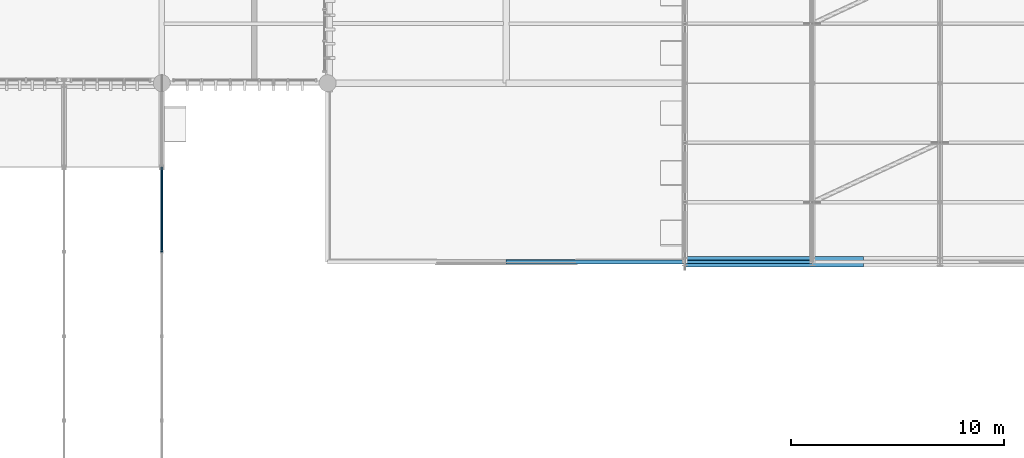
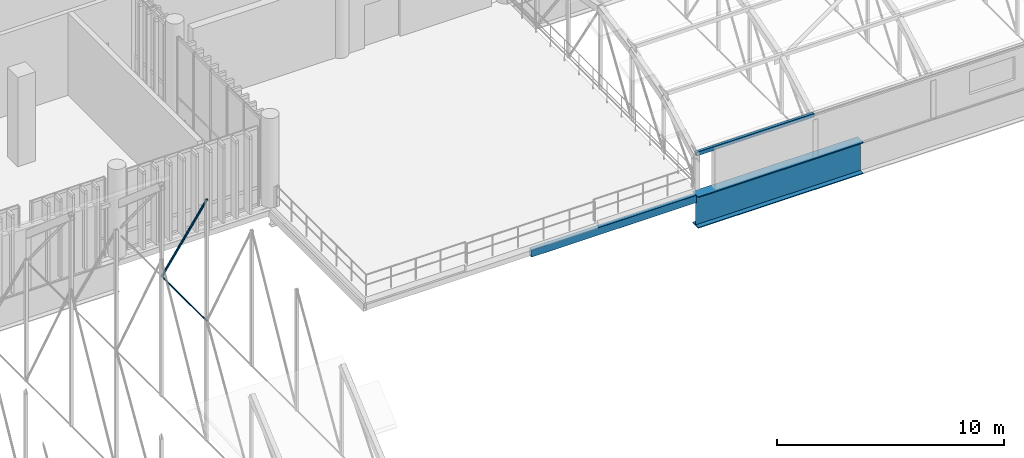
# One storey, part 21 of 109: 3 members, 2 beams.
"""IFC4 building model written with IfcOpenShell, lengths in metres."""

from ifc_helpers import new_model, si_unit, direction, frame, origin_with_axes, origin_2d_with_axis, place, context, subcontext, project, spatial, hollow_rectangle, circle, hollow_circle, i_section, extrude, material, material_profile, profile_set, type_object, element, save


model = new_model("IFC4")

# Units and contexts
model_context = context("Model", 3, precision=1e-05, world=origin_with_axes(), true_north=direction((0.0, 1.0)))
body_context = subcontext(model_context, "Body", "Model", "MODEL_VIEW")
ifc_project = project(units=[si_unit("LENGTHUNIT", "METRE"), si_unit("AREAUNIT", "SQUARE_METRE"), si_unit("VOLUMEUNIT", "CUBIC_METRE"), si_unit("PLANEANGLEUNIT", "RADIAN"), si_unit("MASSUNIT", "GRAM", prefix="KILO"), si_unit("THERMODYNAMICTEMPERATUREUNIT", "KELVIN")], contexts=[model_context])

# Site, building, storey
site_placement = place(None, origin_with_axes())
site = spatial("IfcSite", under=ifc_project, at=site_placement, CompositionType="ELEMENT")
building_placement = place(site_placement, origin_with_axes())
building = spatial("IfcBuilding", under=site, at=building_placement, Name="Montbau Bow Law Courts", CompositionType="ELEMENT")
storey_placement = place(building_placement, frame((0.0, 0.0, 10.8), z_axis=(0.0, 0.0, 1.0), x_axis=(1.0, 0.0, 0.0)))
storey = spatial("IfcBuildingStorey", under=building, at=storey_placement, Name="L02", CompositionType="ELEMENT", Elevation=10.8)

# Beams
ifc_material = material(Name="Steel CSA G40.21 Grade 350WT (350 MPa)", Category="steel")
ifc_material_profile_1 = material_profile(ifc_material, hollow_rectangle(XDim=0.203, YDim=0.406, WallThickness=0.0127, InnerFilletRadius=0.0254, OuterFilletRadius=0.0127, at=origin_2d_with_axis()), Name="HSS406X203X13", Category="Main", Priority=0)
ifc_profile_set_1 = profile_set([ifc_material_profile_1], Name="Steel CSA G40.21 Grade 350WT (350 MPa)")
beam_type_1 = type_object("IfcBeamType", Name="B-SPN-01", PredefinedType="SPANDREL", material=ifc_profile_set_1)
beam_1_placement = place(None, frame((55.2, 22.2, 10.277), z_axis=(1.0, 0.0, 0.0), x_axis=(0.0, 1.0, 0.0)))
element("IfcBeam", 1, at=beam_1_placement, inside=storey, type_object=beam_type_1, Name="SPN-L02-S0467:bm2_0470", PredefinedType="SPANDREL", context=body_context, shape_type="SweptSolid", body=[
    extrude(hollow_rectangle(XDim=0.203, YDim=0.406, WallThickness=0.0127, InnerFilletRadius=0.0254, OuterFilletRadius=0.0127, at=origin_2d_with_axis()), origin_with_axes(), (0.0, 0.0, 1.0), 8.4),
])
ifc_material_profile_2 = material_profile(ifc_material, i_section(OverallWidth=0.5, OverallDepth=1.7, WebThickness=0.02, FlangeThickness=0.045, at=origin_2d_with_axis()), Name="WWF1700X480", Category="Main", Priority=0)
ifc_profile_set_2 = profile_set([ifc_material_profile_2], Name="Steel CSA G40.21 Grade 350WT (350 MPa)")
beam_type_2 = type_object("IfcBeamType", Name="B-TRG-02", PredefinedType="USERDEFINED", material=ifc_profile_set_2)
beam_2_placement = place(None, frame((63.6, 22.2, 9.63), z_axis=(1.0, 0.0, 0.0), x_axis=(0.0, 1.0, 0.0)))
element("IfcBeam", 2, at=beam_2_placement, inside=storey, type_object=beam_type_2, Name="VRG-L02-S0009:bm2_0012", ObjectType="GIRDER", PredefinedType="USERDEFINED", context=body_context, shape_type="SweptSolid", body=[
    extrude(i_section(OverallWidth=0.5, OverallDepth=1.7, WebThickness=0.02, FlangeThickness=0.045, at=origin_2d_with_axis()), origin_with_axes(), (0.0, 0.0, 1.0), 8.4),
])

# Members
ifc_material_profile_3 = material_profile(ifc_material, hollow_rectangle(XDim=0.152, YDim=0.203, WallThickness=0.0095, InnerFilletRadius=0.019, OuterFilletRadius=0.0095, at=origin_2d_with_axis()), Name="HSS203X152X9.5", Category="Main", Priority=0)
ifc_profile_set_3 = profile_set([ifc_material_profile_3], Name="Steel CSA G40.21 Grade 350WT (350 MPa)")
member_type_1 = type_object("IfcMemberType", Name="M-PUR-01", PredefinedType="PURLIN", material=ifc_profile_set_3)
member_1_placement = place(None, frame((63.6, 22.2, 12.658), z_axis=(1.0, 0.0, 0.0), x_axis=(0.0, 1.0, 0.0)))
element("IfcMember", 3, at=member_1_placement, inside=storey, type_object=member_type_1, Name="Barrel vault roof truss purlin V4-050", PredefinedType="PURLIN", context=body_context, shape_type="SweptSolid", body=[
    extrude(hollow_rectangle(XDim=0.152, YDim=0.203, WallThickness=0.0095, InnerFilletRadius=0.019, OuterFilletRadius=0.0095, at=origin_2d_with_axis()), origin_with_axes(), (0.0, 0.0, 1.0), 6.0),
])
ifc_material_profile_4 = material_profile(ifc_material, hollow_circle(Radius=0.057, WallThickness=0.008, at=origin_2d_with_axis()), Name="HSS114X8.0", Category="Main", Priority=0)
ifc_profile_set_4 = profile_set([ifc_material_profile_4], Name="Steel CSA G40.21 Grade 350WT (350 MPa)")
member_type_2 = type_object("IfcMemberType", Name="M-STR-03", PredefinedType="STRUT", material=ifc_profile_set_4)
member_2_placement = place(None, frame((39.0, 22.667, 18.511), z_axis=(0.0, 0.518991793, -0.854779222), x_axis=(-1.0, 0.0, 0.0)))
element("IfcMember", 4, at=member_2_placement, inside=storey, type_object=member_type_2, Name="Barrel vault roof truss web diagonal V1-08-5", PredefinedType="STRUT", context=body_context, shape_type="SweptSolid", body=[
    extrude(hollow_circle(Radius=0.057, WallThickness=0.008, at=origin_2d_with_axis()), origin_with_axes(), (0.0, 0.0, 1.0), 7.641739),
])
ifc_material_profile_5 = material_profile(ifc_material, circle(Radius=0.038, at=origin_2d_with_axis()), Name="ROD76", Category="Main", Priority=0)
ifc_profile_set_5 = profile_set([ifc_material_profile_5], Name="Steel CSA G40.21 Grade 350WT (350 MPa)")
member_type_3 = type_object("IfcMemberType", Name="M-TIE-01", PredefinedType="USERDEFINED", material=ifc_profile_set_5)
member_3_placement = place(None, frame((39.0, 22.667, 11.979), z_axis=(0.0, 1.0, 0.0), x_axis=(-1.0, 0.0, 0.0)))
element("IfcMember", 5, at=member_3_placement, inside=storey, type_object=member_type_3, Name="Barrel vault roof truss tie V1-047", ObjectType="TIEBAR", PredefinedType="USERDEFINED", context=body_context, shape_type="SweptSolid", body=[
    extrude(circle(Radius=0.038, at=origin_2d_with_axis()), origin_with_axes(), (0.0, 0.0, 1.0), 3.966),
])

save(model, "model.ifc")
